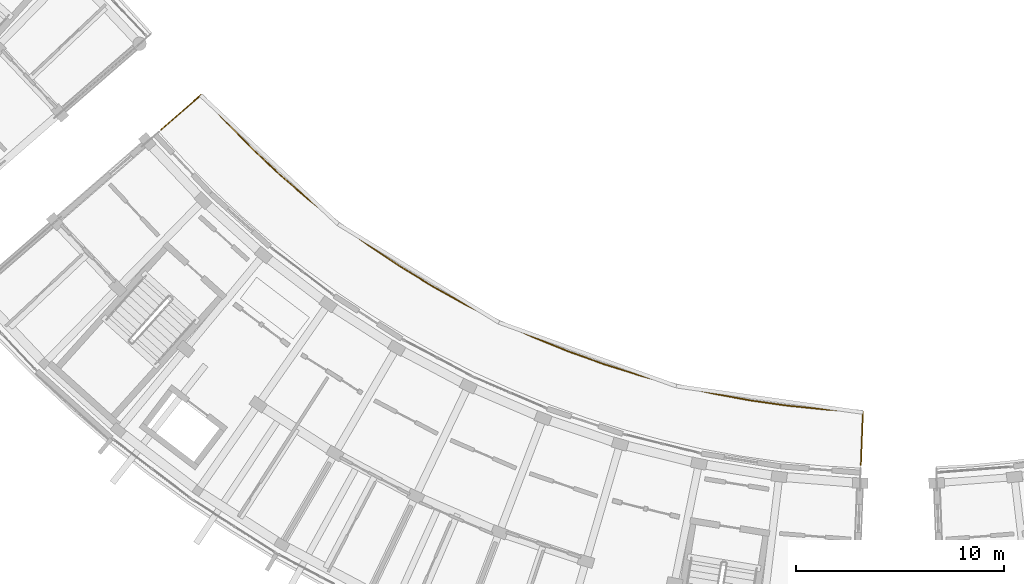
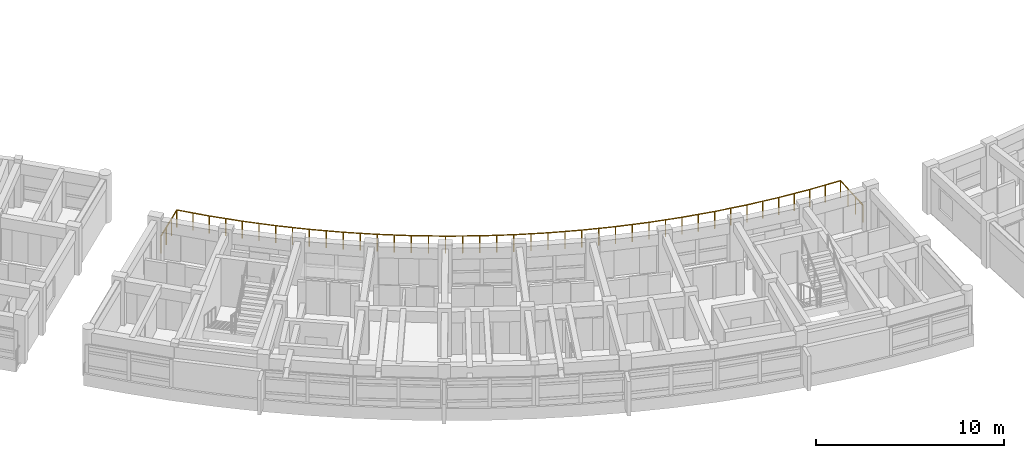
# One storey, part 50 of 54: 1 railing.
"""IFC4 building model written with IfcOpenShell, lengths in metres."""

from ifc_helpers import new_model, si_unit, direction, frame, origin, origin_2d, place, context, subcontext, project, spatial, circle, extrude, material, type_object, element, save


model = new_model("IFC4")

# Units and contexts
model_context = context("Model", 3, precision=1e-05, world=origin(), true_north=direction((0.0, 1.0)))
body_context = subcontext(model_context, "Body", "Model", "MODEL_VIEW")
ifc_project = project(units=[si_unit("LENGTHUNIT", "METRE"), si_unit("AREAUNIT", "SQUARE_METRE"), si_unit("VOLUMEUNIT", "CUBIC_METRE"), si_unit("PLANEANGLEUNIT", "RADIAN"), si_unit("MASSUNIT", "GRAM", prefix="KILO")], contexts=[model_context])

# Site, building, storey
site_placement = place(None, origin())
site = spatial("IfcSite", under=ifc_project, at=site_placement, CompositionType="ELEMENT")
building_placement = place(site_placement, origin())
building = spatial("IfcBuilding", under=site, at=building_placement, Name="Zimvara Arc Housing Community", CompositionType="ELEMENT")
storey_placement = place(building_placement, frame((0.0, 0.0, 23.60009765625)))
storey = spatial("IfcBuildingStorey", under=building, at=storey_placement, Name="L07", CompositionType="ELEMENT", Elevation=23.60009765625)

# Railing
ifc_material = material(Name="Anodised Aluminium AW-6063", Category="aluminium")
railing_type = type_object("IfcRailingType", Name="RLG-BAL-1120", PredefinedType="BALUSTRADE", material=ifc_material)
railing_placement = place(storey_placement, frame((90.470947265625, 78.992431640625, 0.0)))
element("IfcRailing", 1, at=railing_placement, inside=storey, type_object=railing_type, Name="rlg:blkC:L07:terr_guard", PredefinedType="BALUSTRADE", context=body_context, shape_type="SweptSolid", body=[
    extrude(circle(Radius=0.02392578125, at=origin_2d()), frame((0.0, 0.0, 1.09619140625), z_axis=(0.754691415813, 0.65607992417, 0.0), x_axis=(-0.65607992417, 0.754691415813, 0.0)), (0.0, 0.0, 1.0), 2.56982421875),
    extrude(circle(Radius=0.02392578125, at=origin_2d()), frame((1.939453125, 1.68603515625, 1.09619140625), z_axis=(0.671367201791, -0.74112487501, 0.0), x_axis=(0.74112487501, 0.671367201791, 0.0)), (0.0, 0.0, 1.0), 1.81640625),
    extrude(circle(Radius=0.02392578125, at=origin_2d()), frame((3.158935546875, 0.33984375, 1.09619140625), z_axis=(0.701032894244, -0.713128937281, 0.0), x_axis=(0.713128937281, 0.701032894244, 0.0)), (0.0, 0.0, 1.0), 1.81640625),
    extrude(circle(Radius=0.02392578125, at=origin_2d()), frame((4.432373046875, -0.95556640625, 1.09619140625), z_axis=(0.729520438912, -0.683959011352, 0.0), x_axis=(0.683959011352, 0.729520438912, 0.0)), (0.0, 0.0, 1.0), 1.816650390625),
    extrude(circle(Radius=0.02392578125, at=origin_2d()), frame((5.757568359375, -2.197998046875, 1.09619140625), z_axis=(0.756955963292, -0.653465890186, 0.0), x_axis=(0.653465890186, 0.756955963292, 0.0)), (0.0, 0.0, 1.0), 1.81640625),
    extrude(circle(Radius=0.02392578125, at=origin_2d()), frame((7.132568359375, -3.385009765625, 1.09619140625), z_axis=(0.78289711129, -0.622151197968, 0.0), x_axis=(0.622151197968, 0.78289711129, 0.0)), (0.0, 0.0, 1.0), 1.81640625),
    extrude(circle(Radius=0.02392578125, at=origin_2d()), frame((8.5546875, -4.51513671875, 1.09619140625), z_axis=(0.807659466461, -0.589649206085, 0.0), x_axis=(0.589649206085, 0.807659466461, 0.0)), (0.0, 0.0, 1.0), 1.81640625),
    extrude(circle(Radius=0.02392578125, at=origin_2d()), frame((10.021728515625, -5.586181640625, 1.09619140625), z_axis=(0.831097968987, -0.556126034228, 0.0), x_axis=(0.556126034228, 0.831097968987, 0.0)), (0.0, 0.0, 1.0), 1.816650390625),
    extrude(circle(Radius=0.02392578125, at=origin_2d()), frame((11.531494140625, -6.596435546875, 1.09619140625), z_axis=(0.853085749529, -0.52177073888, 0.0), x_axis=(0.52177073888, 0.853085749529, 0.0)), (0.0, 0.0, 1.0), 1.81640625),
    extrude(circle(Radius=0.02392578125, at=origin_2d()), frame((13.0810546875, -7.544189453125, 1.09619140625), z_axis=(0.8737385346, -0.486395901664, 0.0), x_axis=(0.486395901664, 0.8737385346, 0.0)), (0.0, 0.0, 1.0), 1.81640625),
    extrude(circle(Radius=0.02392578125, at=origin_2d()), frame((14.668212890625, -8.427734375, 1.09619140625), z_axis=(0.892808349866, -0.450436732972, 0.0), x_axis=(0.450436732972, 0.892808349866, 0.0)), (0.0, 0.0, 1.0), 1.816162109375),
    extrude(circle(Radius=0.02392578125, at=origin_2d()), frame((16.289794921875, -9.245849609375, 1.09619140625), z_axis=(0.910421701993, -0.413681428807, 0.0), x_axis=(0.413681428807, 0.910421701993, 0.0)), (0.0, 0.0, 1.0), 1.816650390625),
    extrude(circle(Radius=0.02392578125, at=origin_2d()), frame((17.943603515625, -9.997314453125, 1.09619140625), z_axis=(0.926611486193, -0.376020150597, 0.0), x_axis=(0.376020150597, 0.926611486193, 0.0)), (0.0, 0.0, 1.0), 1.816650390625),
    extrude(circle(Radius=0.02392578125, at=origin_2d()), frame((19.626953125, -10.680419921875, 1.09619140625), z_axis=(0.941174941365, -0.337919709025, 0.0), x_axis=(0.337919709025, 0.941174941365, 0.0)), (0.0, 0.0, 1.0), 1.81640625),
    extrude(circle(Radius=0.02392578125, at=origin_2d()), frame((21.33642578125, -11.294189453125, 1.09619140625), z_axis=(0.954202167008, -0.299162538558, 0.0), x_axis=(0.299162538558, 0.954202167008, 0.0)), (0.0, 0.0, 1.0), 1.816650390625),
    extrude(circle(Radius=0.02392578125, at=origin_2d()), frame((23.06982421875, -11.837646484375, 1.09619140625), z_axis=(0.96562094944, -0.259954192124, 0.0), x_axis=(0.259954192124, 0.96562094944, 0.0)), (0.0, 0.0, 1.0), 1.81640625),
    extrude(circle(Radius=0.02392578125, at=origin_2d()), frame((24.82373046875, -12.309814453125, 1.09619140625), z_axis=(0.975402794085, -0.220430009963, 0.0), x_axis=(0.220430009963, 0.975402794085, 0.0)), (0.0, 0.0, 1.0), 1.81640625),
    extrude(circle(Radius=0.02392578125, at=origin_2d()), frame((26.595458984375, -12.710205078125, 1.09619140625), z_axis=(0.983602186967, -0.180351705822, 0.0), x_axis=(0.180351705822, 0.983602186967, 0.0)), (0.0, 0.0, 1.0), 1.816650390625),
    extrude(circle(Radius=0.02392578125, at=origin_2d()), frame((28.38232421875, -13.037841796875, 1.09619140625), z_axis=(0.990142132046, -0.140066264131, 0.0), x_axis=(0.140066264131, 0.990142132046, 0.0)), (0.0, 0.0, 1.0), 1.816162109375),
    extrude(circle(Radius=0.02392578125, at=origin_2d()), frame((30.1806640625, -13.292236328125, 1.09619140625), z_axis=(0.995042511264, -0.099450494103, 0.0), x_axis=(0.099450494103, 0.995042511264, 0.0)), (0.0, 0.0, 1.0), 1.816650390625),
    extrude(circle(Radius=0.02392578125, at=origin_2d()), frame((31.98828125, -13.472900390625, 1.09619140625), z_axis=(0.998273446075, -0.058737780522, 0.0), x_axis=(0.058737780522, 0.998273446075, 0.0)), (0.0, 0.0, 1.0), 1.81640625),
    extrude(circle(Radius=0.02392578125, at=origin_2d()), frame((33.801513671875, -13.57958984375, 1.09619140625), z_axis=(-0.038378397593, -0.999263277919, 0.0), x_axis=(0.999263277919, -0.038378397593, 0.0)), (0.0, 0.0, 1.0), 2.570068359375),
    extrude(circle(Radius=0.02099609375, at=origin_2d()), origin(), (0.0, 0.0, 1.0), 1.072021484375),
    extrude(circle(Radius=0.02099609375, at=origin_2d()), frame((0.646484375, 0.56201171875, 0.0)), (0.0, 0.0, 1.0), 1.072021484375),
    extrude(circle(Radius=0.02099609375, at=origin_2d()), frame((1.29296875, 1.1240234375, 0.0)), (0.0, 0.0, 1.0), 1.072021484375),
    extrude(circle(Radius=0.02099609375, at=origin_2d()), frame((1.939453125, 1.68603515625, 0.0)), (0.0, 0.0, 1.0), 1.072021484375),
    extrude(circle(Radius=0.02099609375, at=origin_2d()), frame((2.54931640625, 1.012939453125, 0.0)), (0.0, 0.0, 1.0), 1.072021484375),
    extrude(circle(Radius=0.02099609375, at=origin_2d()), frame((3.158935546875, 0.33984375, 0.0)), (0.0, 0.0, 1.0), 1.072021484375),
    extrude(circle(Radius=0.02099609375, at=origin_2d()), frame((3.795654296875, -0.307861328125, 0.0)), (0.0, 0.0, 1.0), 1.072021484375),
    extrude(circle(Radius=0.02099609375, at=origin_2d()), frame((4.432373046875, -0.95556640625, 0.0)), (0.0, 0.0, 1.0), 1.072021484375),
    extrude(circle(Radius=0.02099609375, at=origin_2d()), frame((5.094970703125, -1.57666015625, 0.0)), (0.0, 0.0, 1.0), 1.072021484375),
    extrude(circle(Radius=0.02099609375, at=origin_2d()), frame((5.757568359375, -2.197998046875, 0.0)), (0.0, 0.0, 1.0), 1.072021484375),
    extrude(circle(Radius=0.02099609375, at=origin_2d()), frame((6.445068359375, -2.79150390625, 0.0)), (0.0, 0.0, 1.0), 1.072021484375),
    extrude(circle(Radius=0.02099609375, at=origin_2d()), frame((7.132568359375, -3.385009765625, 0.0)), (0.0, 0.0, 1.0), 1.072021484375),
    extrude(circle(Radius=0.02099609375, at=origin_2d()), frame((7.84375, -3.9501953125, 0.0)), (0.0, 0.0, 1.0), 1.072021484375),
    extrude(circle(Radius=0.02099609375, at=origin_2d()), frame((8.5546875, -4.51513671875, 0.0)), (0.0, 0.0, 1.0), 1.072021484375),
    extrude(circle(Radius=0.02099609375, at=origin_2d()), frame((9.2880859375, -5.05078125, 0.0)), (0.0, 0.0, 1.0), 1.072021484375),
    extrude(circle(Radius=0.02099609375, at=origin_2d()), frame((10.021728515625, -5.586181640625, 0.0)), (0.0, 0.0, 1.0), 1.072021484375),
    extrude(circle(Radius=0.02099609375, at=origin_2d()), frame((10.776611328125, -6.09130859375, 0.0)), (0.0, 0.0, 1.0), 1.072021484375),
    extrude(circle(Radius=0.02099609375, at=origin_2d()), frame((11.531494140625, -6.596435546875, 0.0)), (0.0, 0.0, 1.0), 1.072021484375),
    extrude(circle(Radius=0.02099609375, at=origin_2d()), frame((12.30615234375, -7.0703125, 0.0)), (0.0, 0.0, 1.0), 1.072021484375),
    extrude(circle(Radius=0.02099609375, at=origin_2d()), frame((13.0810546875, -7.544189453125, 0.0)), (0.0, 0.0, 1.0), 1.072021484375),
    extrude(circle(Radius=0.02099609375, at=origin_2d()), frame((13.87451171875, -7.98583984375, 0.0)), (0.0, 0.0, 1.0), 1.072021484375),
    extrude(circle(Radius=0.02099609375, at=origin_2d()), frame((14.668212890625, -8.427734375, 0.0)), (0.0, 0.0, 1.0), 1.072021484375),
    extrude(circle(Radius=0.02099609375, at=origin_2d()), frame((15.47900390625, -8.8369140625, 0.0)), (0.0, 0.0, 1.0), 1.072021484375),
    extrude(circle(Radius=0.02099609375, at=origin_2d()), frame((16.289794921875, -9.245849609375, 0.0)), (0.0, 0.0, 1.0), 1.072021484375),
    extrude(circle(Radius=0.02099609375, at=origin_2d()), frame((17.11669921875, -9.62158203125, 0.0)), (0.0, 0.0, 1.0), 1.072021484375),
    extrude(circle(Radius=0.02099609375, at=origin_2d()), frame((17.943603515625, -9.997314453125, 0.0)), (0.0, 0.0, 1.0), 1.072021484375),
    extrude(circle(Radius=0.02099609375, at=origin_2d()), frame((18.78515625, -10.3388671875, 0.0)), (0.0, 0.0, 1.0), 1.072021484375),
    extrude(circle(Radius=0.02099609375, at=origin_2d()), frame((19.626953125, -10.680419921875, 0.0)), (0.0, 0.0, 1.0), 1.072021484375),
    extrude(circle(Radius=0.02099609375, at=origin_2d()), frame((20.481689453125, -10.9873046875, 0.0)), (0.0, 0.0, 1.0), 1.072021484375),
    extrude(circle(Radius=0.02099609375, at=origin_2d()), frame((21.33642578125, -11.294189453125, 0.0)), (0.0, 0.0, 1.0), 1.072021484375),
    extrude(circle(Radius=0.02099609375, at=origin_2d()), frame((22.203125, -11.56591796875, 0.0)), (0.0, 0.0, 1.0), 1.072021484375),
    extrude(circle(Radius=0.02099609375, at=origin_2d()), frame((23.06982421875, -11.837646484375, 0.0)), (0.0, 0.0, 1.0), 1.072021484375),
    extrude(circle(Radius=0.02099609375, at=origin_2d()), frame((23.94677734375, -12.07373046875, 0.0)), (0.0, 0.0, 1.0), 1.072021484375),
    extrude(circle(Radius=0.02099609375, at=origin_2d()), frame((24.82373046875, -12.309814453125, 0.0)), (0.0, 0.0, 1.0), 1.072021484375),
    extrude(circle(Radius=0.02099609375, at=origin_2d()), frame((25.70947265625, -12.510009765625, 0.0)), (0.0, 0.0, 1.0), 1.072021484375),
    extrude(circle(Radius=0.02099609375, at=origin_2d()), frame((26.595458984375, -12.710205078125, 0.0)), (0.0, 0.0, 1.0), 1.072021484375),
    extrude(circle(Radius=0.02099609375, at=origin_2d()), frame((27.48876953125, -12.8740234375, 0.0)), (0.0, 0.0, 1.0), 1.072021484375),
    extrude(circle(Radius=0.02099609375, at=origin_2d()), frame((28.38232421875, -13.037841796875, 0.0)), (0.0, 0.0, 1.0), 1.072021484375),
    extrude(circle(Radius=0.02099609375, at=origin_2d()), frame((29.281494140625, -13.1650390625, 0.0)), (0.0, 0.0, 1.0), 1.072021484375),
    extrude(circle(Radius=0.02099609375, at=origin_2d()), frame((30.1806640625, -13.292236328125, 0.0)), (0.0, 0.0, 1.0), 1.072021484375),
    extrude(circle(Radius=0.02099609375, at=origin_2d()), frame((31.08447265625, -13.382568359375, 0.0)), (0.0, 0.0, 1.0), 1.072021484375),
    extrude(circle(Radius=0.02099609375, at=origin_2d()), frame((31.98828125, -13.472900390625, 0.0)), (0.0, 0.0, 1.0), 1.072021484375),
    extrude(circle(Radius=0.02099609375, at=origin_2d()), frame((32.89501953125, -13.5263671875, 0.0)), (0.0, 0.0, 1.0), 1.072021484375),
    extrude(circle(Radius=0.02099609375, at=origin_2d()), frame((33.801513671875, -13.57958984375, 0.0)), (0.0, 0.0, 1.0), 1.072021484375),
    extrude(circle(Radius=0.02099609375, at=origin_2d()), frame((33.7685546875, -14.435546875, 0.0)), (0.0, 0.0, 1.0), 1.072021484375),
    extrude(circle(Radius=0.02099609375, at=origin_2d()), frame((33.73583984375, -15.291748046875, 0.0)), (0.0, 0.0, 1.0), 1.072021484375),
    extrude(circle(Radius=0.02099609375, at=origin_2d()), frame((33.702880859375, -16.147705078125, 0.0)), (0.0, 0.0, 1.0), 1.072021484375),
])

save(model, "model.ifc")
